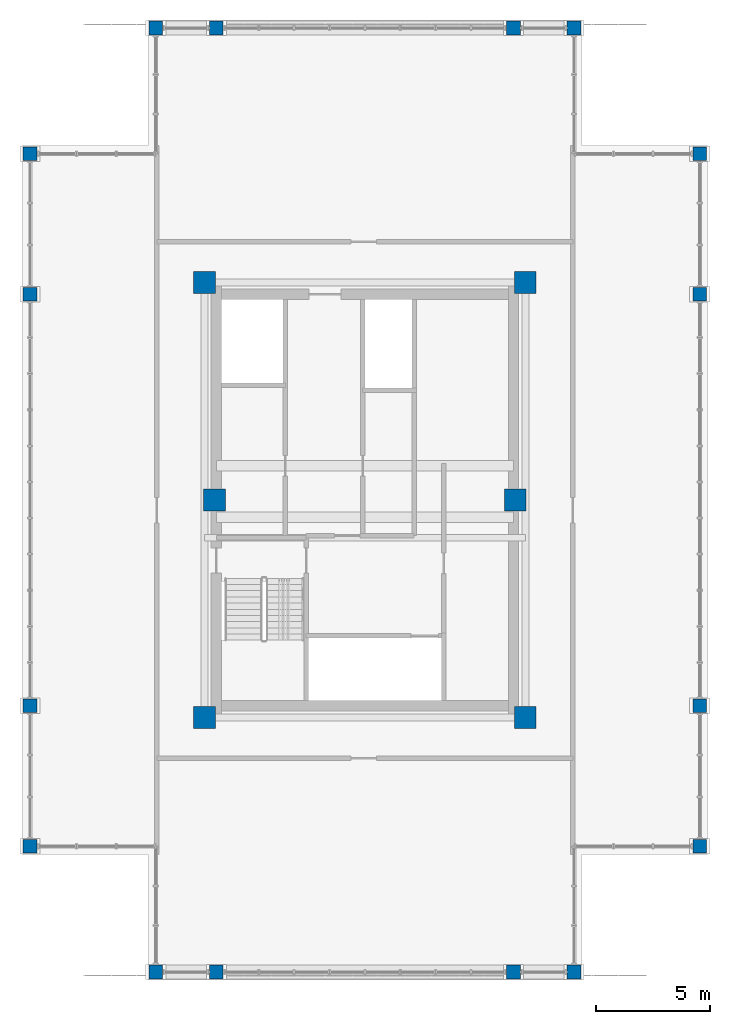
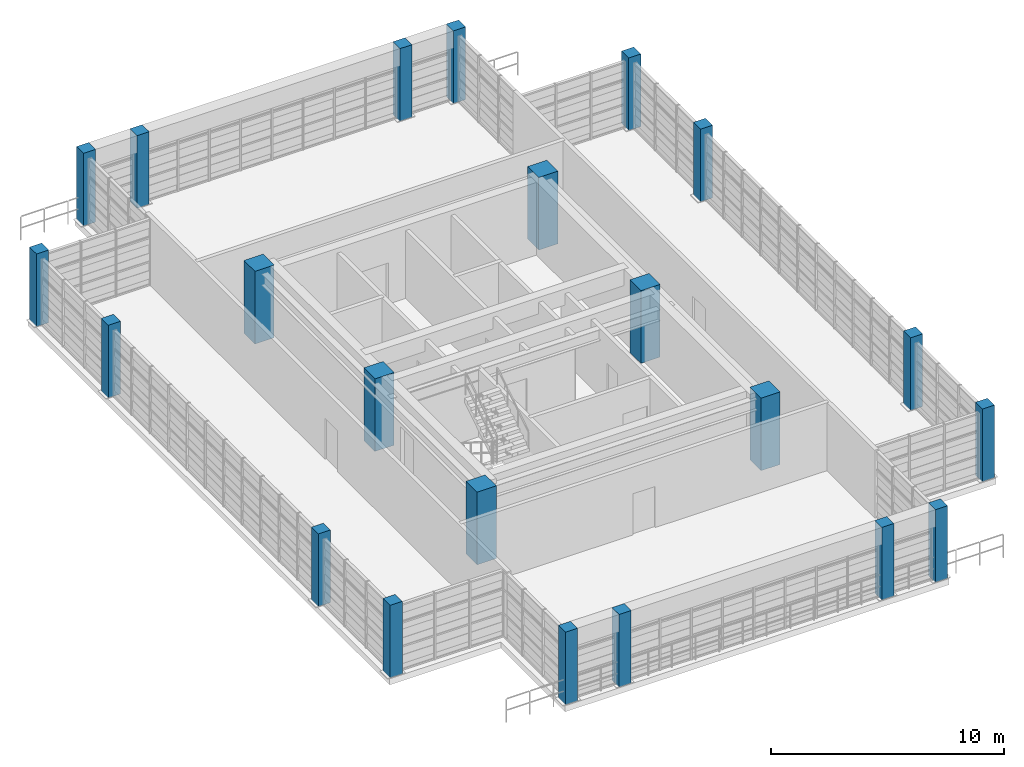
# One storey, part 1 of 24: 22 columns.
"""IFC4 building model written with IfcOpenShell, lengths in metres."""

from ifc_helpers import new_model, si_unit, direction, frame, origin, origin_2d, place, context, subcontext, project, spatial, rectangle, extrude, source, transform, mapped, material, material_profile, profile_set, type_object, element, save


model = new_model("IFC4")

# Units and contexts
model_context = context("Model", 3, precision=1e-05, world=origin(), true_north=direction((0.0, 1.0)))
body_context = subcontext(model_context, "Body", "Model", "MODEL_VIEW")
ifc_project = project(units=[si_unit("LENGTHUNIT", "METRE"), si_unit("AREAUNIT", "SQUARE_METRE"), si_unit("VOLUMEUNIT", "CUBIC_METRE"), si_unit("PLANEANGLEUNIT", "RADIAN"), si_unit("MASSUNIT", "GRAM", prefix="KILO")], contexts=[model_context])

# Site, building, storey
site_placement = place(None, origin())
site = spatial("IfcSite", under=ifc_project, at=site_placement, CompositionType="ELEMENT")
building_placement = place(site_placement, origin())
building = spatial("IfcBuilding", under=site, at=building_placement, Name="Saelheon Loggia Tower", CompositionType="ELEMENT")
storey_placement = place(building_placement, frame((0.0, 0.0, 252.199951171875)))
storey = spatial("IfcBuildingStorey", under=building, at=storey_placement, Name="CR1", CompositionType="ELEMENT", Elevation=252.199951171875)

# Columns
ifc_material_1 = material(Name="Concrete C45/55", Category="concrete")
ifc_material_profile_1 = material_profile(ifc_material_1, rectangle(XDim=0.949951171875, YDim=0.949951171875, at=origin_2d()), Name="RC-950x950")
ifc_profile_set_1 = profile_set([ifc_material_profile_1], Name="Concrete C45/55")
column_type_1 = type_object("IfcColumnType", Name="Col_Core_RC950", PredefinedType="COLUMN", material=ifc_profile_set_1)
shared_shape_1 = source(origin(), body_context, "Body", "SweptSolid", [
    extrude(rectangle(XDim=0.949951171875, YDim=0.949951171875, at=origin_2d()), origin(), (0.0, 0.0, 1.0), 3.800048828125),
])
for number, where, z_axis, x_axis, name in (
    (1, (30.97998046875, 17.47998046875, 0.0), (0.0, 0.0, 1.0), (1.0, 0.0, 0.0), "CR1 Core Column CR-SW"),
    (2, (45.02001953125, 17.47998046875, 0.0), (0.0, 0.0, 1.0), (1.0, 0.0, 0.0), "CR1 Core Column CR-SE"),
    (3, (30.97998046875, 36.52001953125, 0.0), (0.0, 0.0, 1.0), (1.0, 0.0, 0.0), "CR1 Core Column CR-NW"),
    (4, (45.02001953125, 36.52001953125, 0.0), (0.0, 0.0, 1.0), (1.0, 0.0, 0.0), "CR1 Core Column CR-NE"),
    (5, (31.419921875, 27.0, 0.0), (0.0, 0.0, 1.0), (1.0, 0.0, 0.0), "CR1 Core Column CR-MW"),
    (6, (44.580078125, 27.0, 0.0), (0.0, 0.0, 1.0), (1.0, 0.0, 0.0), "CR1 Core Column CR-ME"),
):
    element("IfcColumn", number, at=place(storey_placement, frame(where, z_axis=z_axis, x_axis=x_axis)), inside=storey, type_object=column_type_1, Name=name, PredefinedType="COLUMN", context=body_context, shape_type="MappedRepresentation", body=[
        mapped(shared_shape_1, transform((0.0, 0.0, 0.0), scale=1.0)),
    ])
ifc_material_2 = material(Name="Precast Concrete C45/55", Category="concrete")
ifc_material_profile_2 = material_profile(ifc_material_2, rectangle(XDim=0.60009765625, YDim=0.60009765625, at=origin_2d()), Name="RC-600x600")
ifc_profile_set_2 = profile_set([ifc_material_profile_2], Name="Precast Concrete C45/55")
column_type_2 = type_object("IfcColumnType", Name="CrownFrame_Col_RC600", PredefinedType="COLUMN", material=ifc_profile_set_2)
shared_shape_2 = source(origin(), body_context, "Body", "SweptSolid", [
    extrude(rectangle(XDim=0.60009765625, YDim=0.60009765625, at=origin_2d()), origin(), (0.0, 0.0, 1.0), 3.800048828125),
])
for number, where, z_axis, x_axis, name in (
    (7, (28.85009765625, 6.35009765625, 0.0), (0.0, 0.0, 1.0), (1.0, 0.0, 0.0), "CR1 CROWN FRAME Column TP-S1"),
    (8, (31.5, 6.35009765625, 0.0), (0.0, 0.0, 1.0), (1.0, 0.0, 0.0), "CR1 CROWN FRAME Column TP-SA"),
    (9, (44.5, 6.35009765625, 0.0), (0.0, 0.0, 1.0), (1.0, 0.0, 0.0), "CR1 CROWN FRAME Column TP-SB"),
    (10, (47.14990234375, 6.35009765625, 0.0), (0.0, 0.0, 1.0), (1.0, 0.0, 0.0), "CR1 CROWN FRAME Column TP-S2"),
    (11, (52.64990234375, 11.85009765625, 0.0), (0.0, 0.0, 1.0), (1.0, 0.0, 0.0), "CR1 CROWN FRAME Column TP-E1"),
    (12, (52.64990234375, 18.0, 0.0), (0.0, 0.0, 1.0), (1.0, 0.0, 0.0), "CR1 CROWN FRAME Column TP-EA"),
    (13, (52.64990234375, 36.0, 0.0), (0.0, 0.0, 1.0), (1.0, 0.0, 0.0), "CR1 CROWN FRAME Column TP-EB"),
    (14, (52.64990234375, 42.14990234375, 0.0), (0.0, 0.0, 1.0), (1.0, 0.0, 0.0), "CR1 CROWN FRAME Column TP-E2"),
    (15, (47.14990234375, 47.64990234375, 0.0), (0.0, 0.0, 1.0), (1.0, 0.0, 0.0), "CR1 CROWN FRAME Column TP-N2"),
    (16, (44.5, 47.64990234375, 0.0), (0.0, 0.0, 1.0), (1.0, 0.0, 0.0), "CR1 CROWN FRAME Column TP-NB"),
    (17, (31.5, 47.64990234375, 0.0), (0.0, 0.0, 1.0), (1.0, 0.0, 0.0), "CR1 CROWN FRAME Column TP-NA"),
    (18, (28.85009765625, 47.64990234375, 0.0), (0.0, 0.0, 1.0), (1.0, 0.0, 0.0), "CR1 CROWN FRAME Column TP-N1"),
    (19, (23.35009765625, 42.14990234375, 0.0), (0.0, 0.0, 1.0), (1.0, 0.0, 0.0), "CR1 CROWN FRAME Column TP-W2"),
    (20, (23.35009765625, 36.0, 0.0), (0.0, 0.0, 1.0), (1.0, 0.0, 0.0), "CR1 CROWN FRAME Column TP-WB"),
    (21, (23.35009765625, 18.0, 0.0), (0.0, 0.0, 1.0), (1.0, 0.0, 0.0), "CR1 CROWN FRAME Column TP-WA"),
    (22, (23.35009765625, 11.85009765625, 0.0), (0.0, 0.0, 1.0), (1.0, 0.0, 0.0), "CR1 CROWN FRAME Column TP-W1"),
):
    element("IfcColumn", number, at=place(storey_placement, frame(where, z_axis=z_axis, x_axis=x_axis)), inside=storey, type_object=column_type_2, Name=name, PredefinedType="COLUMN", context=body_context, shape_type="MappedRepresentation", body=[
        mapped(shared_shape_2, transform((0.0, 0.0, 0.0), scale=1.0)),
    ])

save(model, "model.ifc")
